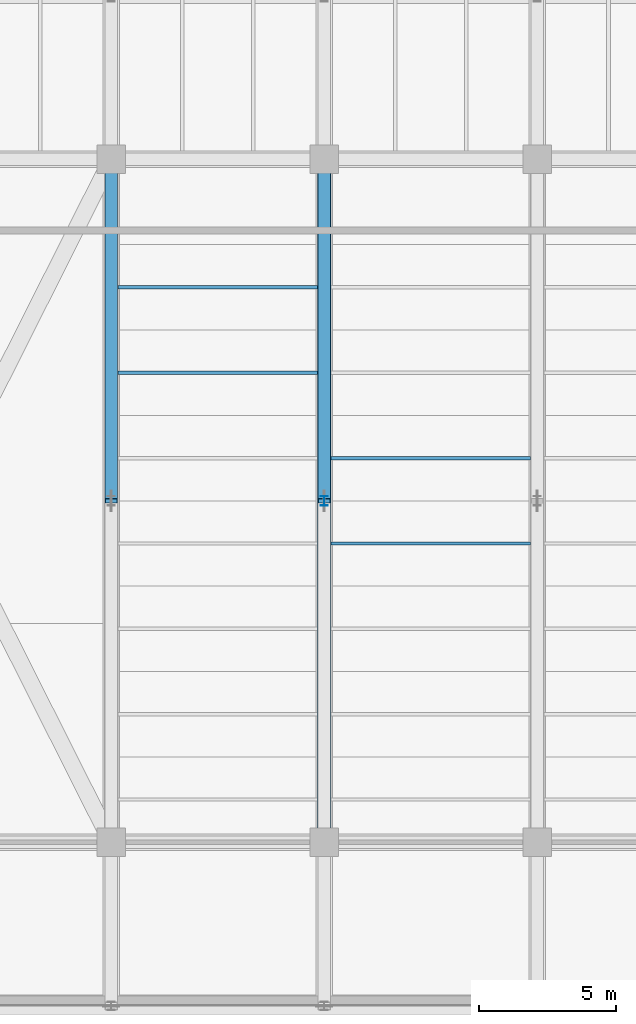
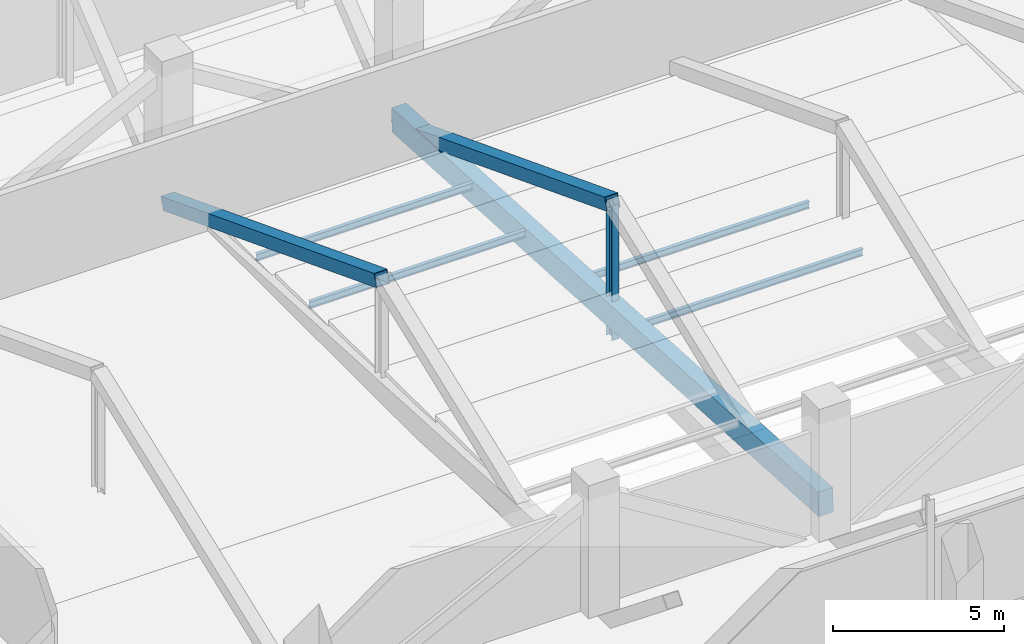
# One storey, part 46 of 127: 4 beams, 4 members.
"""IFC4 building model written with IfcOpenShell, lengths in metres."""

from ifc_helpers import new_model, si_unit, derived_unit, direction, frame, origin, origin_2d, place, context, subcontext, project, spatial, rectangle, hollow_rectangle, i_section, extrude, material, material_profile, profile_set, type_object, element, save


model = new_model("IFC4")

# Units and contexts
model_context = context("Model", 3, precision=1e-05, world=origin(), true_north=direction((0.0, 1.0)))
body_context = subcontext(model_context, "Body", "Model", "MODEL_VIEW")
ifc_project = project(units=[si_unit("LENGTHUNIT", "METRE"), si_unit("AREAUNIT", "SQUARE_METRE"), si_unit("VOLUMEUNIT", "CUBIC_METRE"), si_unit("PLANEANGLEUNIT", "RADIAN"), si_unit("MASSUNIT", "GRAM", prefix="KILO"), derived_unit("THERMALTRANSMITTANCEUNIT", [(si_unit("POWERUNIT", "WATT"), 1), (si_unit("LENGTHUNIT", "METRE"), -2), (si_unit("THERMODYNAMICTEMPERATUREUNIT", "KELVIN"), -1)])], contexts=[model_context])

# Site, building, storey
site_placement = place(None, origin())
site = spatial("IfcSite", under=ifc_project, at=site_placement, CompositionType="ELEMENT")
building_placement = place(site_placement, origin())
building = spatial("IfcBuilding", under=site, at=building_placement, Name="Nallur Shell Playhouse", CompositionType="ELEMENT")
storey_placement = place(building_placement, frame((0.0, 0.0, 5.39990234375)))
storey = spatial("IfcBuildingStorey", under=building, at=storey_placement, Name="L02", CompositionType="ELEMENT", Elevation=5.39990234375)

# Beams
ifc_material_1 = material(Name="Steel E250", Category="steel")
ifc_material_profile_1 = material_profile(ifc_material_1, i_section(OverallWidth=0.125, OverallDepth=0.25, WebThickness=0.0068359375, FlangeThickness=0.012451171875, FilletRadius=0.012939453125, at=origin_2d()), Name="ISMB 250")
ifc_profile_set_1 = profile_set([ifc_material_profile_1], Name="Steel E250")
beam_type = type_object("IfcBeamType", Name="BM-JST-ISMB250", PredefinedType="JOIST", material=ifc_profile_set_1)
for number, where, z_axis, x_axis, name in (
    (1, (79.847900390625, 36.3125, 0.085205078125), (1.0, 0.0, 0.0), (0.0, 1.0, 0.0), "Seating tier step bearer STALLS row 2 (79.6-87.4)"),
    (2, (79.847900390625, 33.1875, 0.28515625), (1.0, 0.0, 0.0), (0.0, 1.0, 0.0), "Seating tier step bearer STALLS row 3 (79.6-87.4)"),
):
    element("IfcBeam", number, at=place(storey_placement, frame(where, z_axis=z_axis, x_axis=x_axis)), inside=storey, type_object=beam_type, Name=name, PredefinedType="JOIST", context=body_context, shape_type="SweptSolid", body=[
        extrude(i_section(OverallWidth=0.125, OverallDepth=0.25, WebThickness=0.0068359375, FlangeThickness=0.012451171875, FilletRadius=0.012939453125, at=origin_2d()), origin(), (0.0, 0.0, 1.0), 7.30419921875),
    ])
for number, where, z_axis, x_axis, name in (
    (3, (87.64794921875, 30.0625, 0.485107421875), (1.0, 0.0, 0.0), (0.0, 1.0, 0.0), "Seating tier step bearer STALLS row 4 (87.4-95.2)"),
    (4, (87.64794921875, 26.9375, 0.68505859375), (1.0, 0.0, 0.0), (0.0, 1.0, 0.0), "Seating tier step bearer STALLS row 5 (87.4-95.2)"),
):
    element("IfcBeam", number, at=place(storey_placement, frame(where, z_axis=z_axis, x_axis=x_axis)), inside=storey, type_object=beam_type, Name=name, PredefinedType="JOIST", context=body_context, shape_type="SweptSolid", body=[
        extrude(i_section(OverallWidth=0.125, OverallDepth=0.25, WebThickness=0.0068359375, FlangeThickness=0.012451171875, FilletRadius=0.012939453125, at=origin_2d()), origin(), (0.0, 0.0, 1.0), 7.303955078125),
    ])

# Members
ifc_material_2 = material(Name="Concrete M40", Category="concrete")
ifc_material_profile_2 = material_profile(ifc_material_2, rectangle(XDim=0.5, YDim=0.85009765625, at=origin_2d()), Name="RC 500x850")
ifc_profile_set_2 = profile_set([ifc_material_profile_2], Name="Concrete M40")
member_type_1 = type_object("IfcMemberType", Name="MB-RAKER-RC", PredefinedType="STRINGER", material=ifc_profile_set_2)
member_1_placement = place(storey_placement, frame((87.39990234375, 41.0, -0.414794921875), z_axis=(0.0, -0.998435896042, 0.055908510038), x_axis=(1.0, 0.0, 0.0)))
element("IfcMember", 5, at=member_1_placement, inside=storey, type_object=member_type_1, Name="Auditorium raker beam STALLS RAKER 2", PredefinedType="STRINGER", context=body_context, shape_type="SweptSolid", body=[
    extrude(rectangle(XDim=0.5, YDim=0.85009765625, at=origin_2d()), origin(), (0.0, 0.0, 1.0), 25.0390625),
])
ifc_material_3 = material(Name="Steel E350", Category="steel")
ifc_material_profile_3 = material_profile(ifc_material_3, hollow_rectangle(XDim=0.449951171875, YDim=0.449951171875, WallThickness=0.02001953125, at=origin_2d()), Name="BOX 450x450x20")
ifc_profile_set_3 = profile_set([ifc_material_profile_3], Name="Steel E350")
member_type_2 = type_object("IfcMemberType", Name="MB-TT-DIAG", PredefinedType="BRACE", material=ifc_profile_set_3)
for number, where, z_axis, x_axis, name in (
    (6, (79.60009765625, 28.5, 4.14013671875), (0.0, 0.933035744056, -0.359783685447), (-1.0, 0.0, 0.0), "Transfer truss TT-4 diagonal 3"),
    (7, (87.39990234375, 28.5, 4.14013671875), (0.0, 0.933035744056, -0.359783685447), (-1.0, 0.0, 0.0), "Transfer truss TT-5 diagonal 3"),
):
    element("IfcMember", number, at=place(storey_placement, frame(where, z_axis=z_axis, x_axis=x_axis)), inside=storey, type_object=member_type_2, Name=name, PredefinedType="BRACE", context=body_context, shape_type="SweptSolid", body=[
        extrude(hollow_rectangle(XDim=0.449951171875, YDim=0.449951171875, WallThickness=0.02001953125, at=origin_2d()), origin(), (0.0, 0.0, 1.0), 13.397216796875),
    ])
ifc_material_profile_4 = material_profile(ifc_material_3, i_section(OverallWidth=0.25, OverallDepth=0.35009765625, WebThickness=0.010009765625, FlangeThickness=0.01171875, FilletRadius=0.011962890625, at=origin_2d()), Name="ISHB 350")
ifc_profile_set_4 = profile_set([ifc_material_profile_4], Name="Steel E350")
member_type_3 = type_object("IfcMemberType", Name="MB-TT-POST", PredefinedType="POST", material=ifc_profile_set_4)
member_2_placement = place(storey_placement, frame((87.39990234375, 28.5, -0.679931640625), z_axis=(0.0, 0.0, 1.0), x_axis=(1.0, 0.0, 0.0)))
element("IfcMember", 8, at=member_2_placement, inside=storey, type_object=member_type_3, Name="Transfer truss TT-5 web post 3", PredefinedType="POST", context=body_context, shape_type="SweptSolid", body=[
    extrude(i_section(OverallWidth=0.25, OverallDepth=0.35009765625, WebThickness=0.010009765625, FlangeThickness=0.01171875, FilletRadius=0.011962890625, at=origin_2d()), origin(), (0.0, 0.0, 1.0), 4.820068359375),
])

save(model, "model.ifc")
